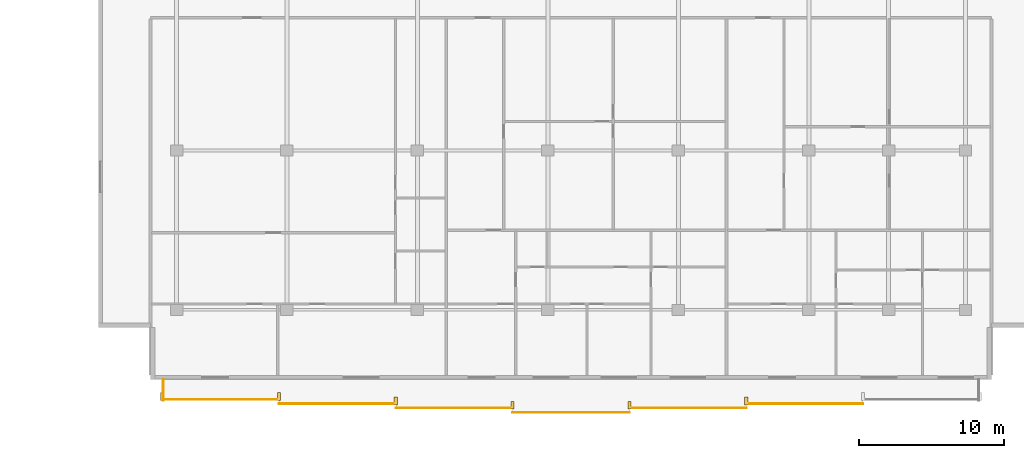
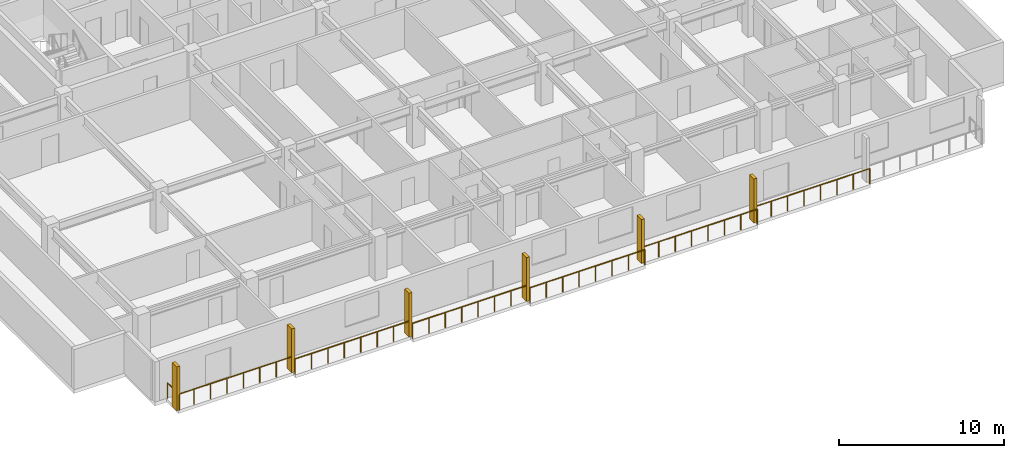
# One storey, part 17 of 21: 7 railings, 6 shading devices.
"""IFC4 building model written with IfcOpenShell, lengths in metres."""

from ifc_helpers import new_model, si_unit, direction, frame, origin, origin_2d, place, context, subcontext, project, spatial, rectangle, circle, extrude, material, type_object, element, save


model = new_model("IFC4")

# Units and contexts
model_context = context("Model", 3, precision=1e-05, world=origin(), true_north=direction((0.0, 1.0)))
body_context = subcontext(model_context, "Body", "Model", "MODEL_VIEW")
ifc_project = project(units=[si_unit("LENGTHUNIT", "METRE"), si_unit("AREAUNIT", "SQUARE_METRE"), si_unit("VOLUMEUNIT", "CUBIC_METRE"), si_unit("PLANEANGLEUNIT", "RADIAN"), si_unit("MASSUNIT", "GRAM", prefix="KILO")], contexts=[model_context])

# Site, building, storey
site_placement = place(None, origin())
site = spatial("IfcSite", under=ifc_project, at=site_placement, CompositionType="ELEMENT")
building_placement = place(site_placement, origin())
building = spatial("IfcBuilding", under=site, at=building_placement, Name="Korimba Cascade Residences", CompositionType="ELEMENT")
storey_placement = place(building_placement, frame((0.0, 0.0, 116.550048828125)))
storey = spatial("IfcBuildingStorey", under=building, at=storey_placement, Name="L33", CompositionType="ELEMENT", Elevation=116.550048828125)

# Railings
ifc_material_1 = material(Name="Laminated Glass and Bronze Balustrade", Category="glass")
railing_type = type_object("IfcRailingType", Name="RLG-LOG-1150", PredefinedType="BALUSTRADE", material=ifc_material_1)
for number, where, name in (
    (1, (73.5, -10.3701171875, 0.0), "L33 Perimeter Guardrail RLG-L33-T2-LOG-01"),
    (2, (81.55712890625, -10.669921875, 0.0), "L33 Perimeter Guardrail RLG-L33-T2-LOG-02"),
    (3, (89.6142578125, -10.969970703125, 0.0), "L33 Perimeter Guardrail RLG-L33-T2-LOG-03"),
    (4, (97.67138671875, -11.27001953125, 0.0), "L33 Perimeter Guardrail RLG-L33-T2-LOG-04"),
    (5, (105.728515625, -10.969970703125, 0.0), "L33 Perimeter Guardrail RLG-L33-T2-LOG-05"),
):
    element("IfcRailing", number, at=place(storey_placement, frame(where)), inside=storey, type_object=railing_type, Name=name, PredefinedType="BALUSTRADE", context=body_context, shape_type="SweptSolid", body=[
        extrude(circle(Radius=0.02392578125, at=origin_2d()), frame((0.0, 0.0, 1.1259765625), z_axis=(1.0, 0.0, 0.0), x_axis=(0.0, 1.0, 0.0)), (0.0, 0.0, 1.0), 8.05712890625),
        extrude(circle(Radius=0.02099609375, at=origin_2d()), origin(), (0.0, 0.0, 1.0), 1.101806640625),
        extrude(circle(Radius=0.02099609375, at=origin_2d()), frame((1.151123046875, 0.0, 0.0)), (0.0, 0.0, 1.0), 1.101806640625),
        extrude(circle(Radius=0.02099609375, at=origin_2d()), frame((2.302001953125, 0.0, 0.0)), (0.0, 0.0, 1.0), 1.101806640625),
        extrude(circle(Radius=0.02099609375, at=origin_2d()), frame((3.453125, 0.0, 0.0)), (0.0, 0.0, 1.0), 1.101806640625),
        extrude(circle(Radius=0.02099609375, at=origin_2d()), frame((4.60400390625, 0.0, 0.0)), (0.0, 0.0, 1.0), 1.101806640625),
        extrude(circle(Radius=0.02099609375, at=origin_2d()), frame((5.755126953125, 0.0, 0.0)), (0.0, 0.0, 1.0), 1.101806640625),
        extrude(circle(Radius=0.02099609375, at=origin_2d()), frame((6.906005859375, 0.0, 0.0)), (0.0, 0.0, 1.0), 1.101806640625),
        extrude(circle(Radius=0.02099609375, at=origin_2d()), frame((8.05712890625, 0.0, 0.0)), (0.0, 0.0, 1.0), 1.101806640625),
    ])
railing_1_placement = place(storey_placement, frame((113.78564453125, -10.669921875, 0.0)))
element("IfcRailing", 6, at=railing_1_placement, inside=storey, type_object=railing_type, Name="L33 Perimeter Guardrail RLG-L33-T2-LOG-06", PredefinedType="BALUSTRADE", context=body_context, shape_type="SweptSolid", body=[
    extrude(circle(Radius=0.02392578125, at=origin_2d()), frame((0.0, 0.0, 1.1259765625), z_axis=(1.0, 0.0, 0.0), x_axis=(0.0, 1.0, 0.0)), (0.0, 0.0, 1.0), 8.057373046875),
    extrude(circle(Radius=0.02099609375, at=origin_2d()), origin(), (0.0, 0.0, 1.0), 1.101806640625),
    extrude(circle(Radius=0.02099609375, at=origin_2d()), frame((1.151123046875, 0.0, 0.0)), (0.0, 0.0, 1.0), 1.101806640625),
    extrude(circle(Radius=0.02099609375, at=origin_2d()), frame((2.302001953125, 0.0, 0.0)), (0.0, 0.0, 1.0), 1.101806640625),
    extrude(circle(Radius=0.02099609375, at=origin_2d()), frame((3.453125, 0.0, 0.0)), (0.0, 0.0, 1.0), 1.101806640625),
    extrude(circle(Radius=0.02099609375, at=origin_2d()), frame((4.604248046875, 0.0, 0.0)), (0.0, 0.0, 1.0), 1.101806640625),
    extrude(circle(Radius=0.02099609375, at=origin_2d()), frame((5.75537109375, 0.0, 0.0)), (0.0, 0.0, 1.0), 1.101806640625),
    extrude(circle(Radius=0.02099609375, at=origin_2d()), frame((6.90625, 0.0, 0.0)), (0.0, 0.0, 1.0), 1.101806640625),
    extrude(circle(Radius=0.02099609375, at=origin_2d()), frame((8.057373046875, 0.0, 0.0)), (0.0, 0.0, 1.0), 1.101806640625),
])
railing_2_placement = place(storey_placement, frame((73.580078125, -9.0, 0.0)))
element("IfcRailing", 7, at=railing_2_placement, inside=storey, type_object=railing_type, Name="L33 Perimeter Guardrail RLG-L33-T2-LOG-09", PredefinedType="BALUSTRADE", context=body_context, shape_type="SweptSolid", body=[
    extrude(circle(Radius=0.02392578125, at=origin_2d()), frame((0.0, 0.0, 1.1259765625), z_axis=(0.0, -1.0, 0.0), x_axis=(1.0, 0.0, 0.0)), (0.0, 0.0, 1.0), 1.449951171875),
    extrude(circle(Radius=0.02099609375, at=origin_2d()), origin(), (0.0, 0.0, 1.0), 1.101806640625),
    extrude(circle(Radius=0.02099609375, at=origin_2d()), frame((0.0, -0.72509765625, 0.0)), (0.0, 0.0, 1.0), 1.101806640625),
    extrude(circle(Radius=0.02099609375, at=origin_2d()), frame((0.0, -1.449951171875, 0.0)), (0.0, 0.0, 1.0), 1.101806640625),
])

# Shading devices
ifc_material_2 = material(Name="Honed Sandstone Precast Fin", Category="masonry")
shading_device_type = type_object("IfcShadingDeviceType", Name="SHD-FIN-550", PredefinedType="USERDEFINED", material=ifc_material_2)
for number, where, z_axis, x_axis, name in (
    (8, (73.5, -10.175048828125, 0.0), (0.0, 0.0, 1.0), (1.0, 0.0, 0.0), "L33 T2 Warm-Stone Loggia Fin 1"),
    (9, (81.55712890625, -10.175048828125, 0.0), (0.0, 0.0, 1.0), (1.0, 0.0, 0.0), "L33 T2 Warm-Stone Loggia Fin 2"),
    (10, (89.6142578125, -10.47509765625, 0.0), (0.0, 0.0, 1.0), (1.0, 0.0, 0.0), "L33 T2 Warm-Stone Loggia Fin 3"),
    (11, (97.67138671875, -10.77490234375, 0.0), (0.0, 0.0, 1.0), (1.0, 0.0, 0.0), "L33 T2 Warm-Stone Loggia Fin 4"),
    (12, (105.728515625, -10.77490234375, 0.0), (0.0, 0.0, 1.0), (1.0, 0.0, 0.0), "L33 T2 Warm-Stone Loggia Fin 5"),
    (13, (113.78564453125, -10.47509765625, 0.0), (0.0, 0.0, 1.0), (1.0, 0.0, 0.0), "L33 T2 Warm-Stone Loggia Fin 6"),
):
    element("IfcShadingDevice", number, at=place(storey_placement, frame(where, z_axis=z_axis, x_axis=x_axis)), inside=storey, type_object=shading_device_type, Name=name, ObjectType="FIN", PredefinedType="USERDEFINED", context=body_context, shape_type="SweptSolid", body=[
        extrude(rectangle(XDim=0.219970703125, YDim=0.550048828125, at=origin_2d()), origin(), (0.0, 0.0, 1.0), 3.25),
    ])

save(model, "model.ifc")
